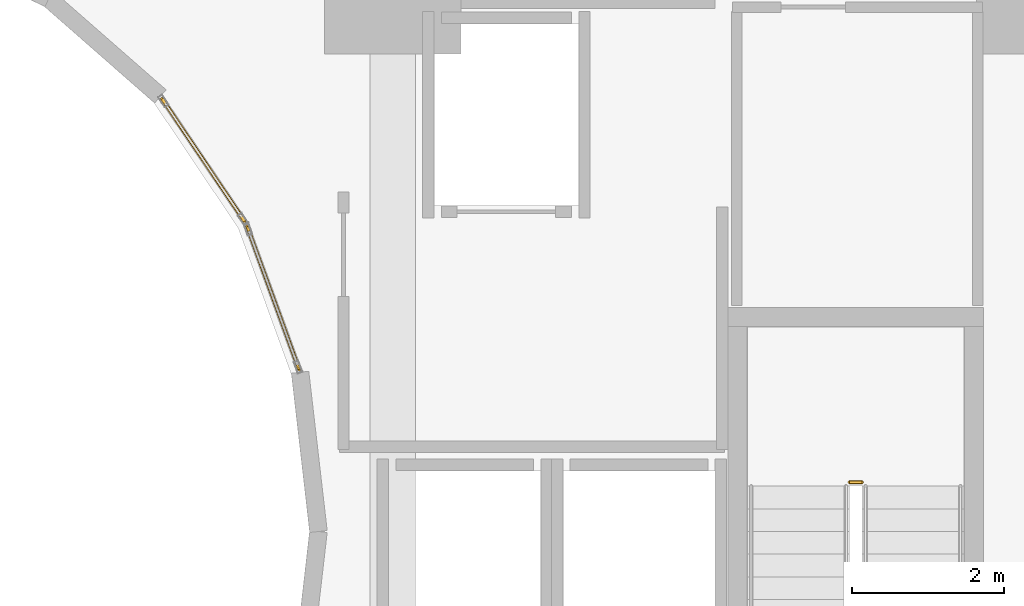
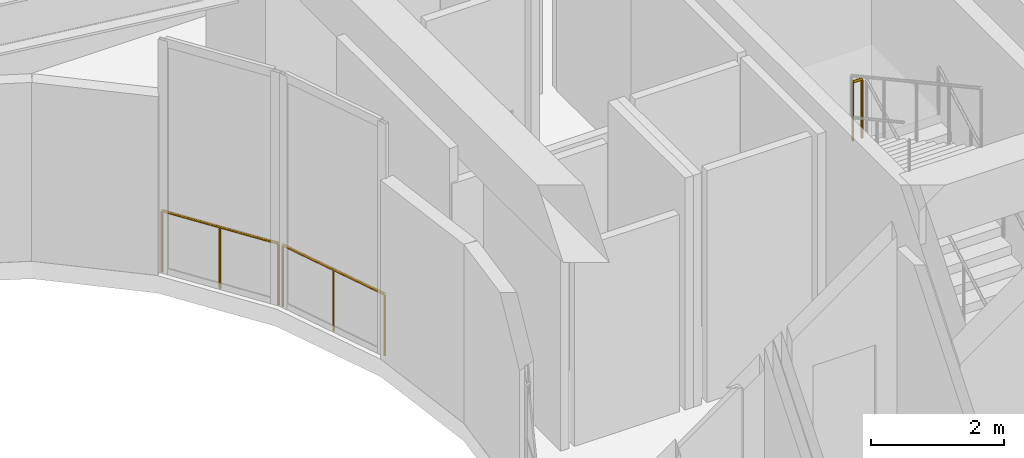
# One storey, part 23 of 25: 3 railings.
"""IFC4 building model written with IfcOpenShell, lengths in metres."""

from ifc_helpers import new_model, si_unit, direction, frame, origin, origin_2d, place, context, subcontext, project, spatial, circle, extrude, material, type_object, element, save


model = new_model("IFC4")

# Units and contexts
model_context = context("Model", 3, precision=1e-05, world=origin(), true_north=direction((0.0, 1.0)))
body_context = subcontext(model_context, "Body", "Model", "MODEL_VIEW")
ifc_project = project(units=[si_unit("LENGTHUNIT", "METRE"), si_unit("AREAUNIT", "SQUARE_METRE"), si_unit("VOLUMEUNIT", "CUBIC_METRE"), si_unit("PLANEANGLEUNIT", "RADIAN"), si_unit("MASSUNIT", "GRAM", prefix="KILO")], contexts=[model_context])

# Site, building, storey
site_placement = place(None, origin())
site = spatial("IfcSite", under=ifc_project, at=site_placement, CompositionType="ELEMENT")
building_placement = place(site_placement, origin())
building = spatial("IfcBuilding", under=site, at=building_placement, Name="Solvane Sanctuary Tower", CompositionType="ELEMENT")
storey_placement = place(building_placement, frame((0.0, 0.0, 13.800048828125)))
storey = spatial("IfcBuildingStorey", under=building, at=storey_placement, Name="L04", CompositionType="ELEMENT", Elevation=13.800048828125)

# Railings
ifc_material = material(Name="Architectural Stainless Steel 316", Category="steel")
railing_type_1 = type_object("IfcRailingType", Name="Railing GR-BALC-1150", PredefinedType="BALUSTRADE", material=ifc_material)
railing_1_placement = place(storey_placement, frame((46.2900390625, 23.64990234375, 2.300048828125)))
element("IfcRailing", 1, at=railing_1_placement, inside=storey, type_object=railing_type_1, Name="L04 ST-2 stair guard 2", PredefinedType="BALUSTRADE", context=body_context, shape_type="SweptSolid", body=[
    extrude(circle(Radius=0.02392578125, at=origin_2d()), frame((0.0, 0.0, 1.076171875), z_axis=(-1.0, 0.0, 0.0), x_axis=(0.0, -1.0, 0.0)), (0.0, 0.0, 1.0), 0.16015625),
    extrude(circle(Radius=0.02099609375, at=origin_2d()), origin(), (0.0, 0.0, 1.0), 1.052001953125),
    extrude(circle(Radius=0.02099609375, at=origin_2d()), frame((-0.16015625, 0.0, 0.0)), (0.0, 0.0, 1.0), 1.052001953125),
])
railing_type_2 = type_object("IfcRailingType", Name="Railing GR-WELL-1150", PredefinedType="GUARDRAIL", material=ifc_material)
railing_2_placement = place(storey_placement, frame((38.86376953125, 25.13916015625, 0.0)))
element("IfcRailing", 2, at=railing_2_placement, inside=storey, type_object=railing_type_2, Name="L04 Light-Well Sill Guard 01", PredefinedType="GUARDRAIL", context=body_context, shape_type="SweptSolid", body=[
    extrude(circle(Radius=0.02392578125, at=origin_2d()), frame((0.0, 0.0, 1.1259765625), z_axis=(-0.341410413021, 0.9399143205, 0.0), x_axis=(-0.9399143205, -0.341410413021, 0.0)), (0.0, 0.0, 1.0), 2.003662109375),
    extrude(circle(Radius=0.02099609375, at=origin_2d()), origin(), (0.0, 0.0, 1.0), 1.101806640625),
    extrude(circle(Radius=0.02099609375, at=origin_2d()), frame((-0.342041015625, 0.941650390625, 0.0)), (0.0, 0.0, 1.0), 1.101806640625),
    extrude(circle(Radius=0.02099609375, at=origin_2d()), frame((-0.68408203125, 1.88330078125, 0.0)), (0.0, 0.0, 1.0), 1.101806640625),
])
railing_3_placement = place(storey_placement, frame((38.143798828125, 27.09326171875, 0.0)))
element("IfcRailing", 3, at=railing_3_placement, inside=storey, type_object=railing_type_2, Name="L04 Light-Well Sill Guard 02", PredefinedType="GUARDRAIL", context=body_context, shape_type="SweptSolid", body=[
    extrude(circle(Radius=0.02392578125, at=origin_2d()), frame((0.0, 0.0, 1.1259765625), z_axis=(-0.558283423748, 0.829650299083, 0.0), x_axis=(-0.829650299083, -0.558283423748, 0.0)), (0.0, 0.0, 1.0), 1.94677734375),
    extrude(circle(Radius=0.02099609375, at=origin_2d()), origin(), (0.0, 0.0, 1.0), 1.101806640625),
    extrude(circle(Radius=0.02099609375, at=origin_2d()), frame((-0.54345703125, 0.8076171875, 0.0)), (0.0, 0.0, 1.0), 1.101806640625),
    extrude(circle(Radius=0.02099609375, at=origin_2d()), frame((-1.0869140625, 1.615234375, 0.0)), (0.0, 0.0, 1.0), 1.101806640625),
])

save(model, "model.ifc")
